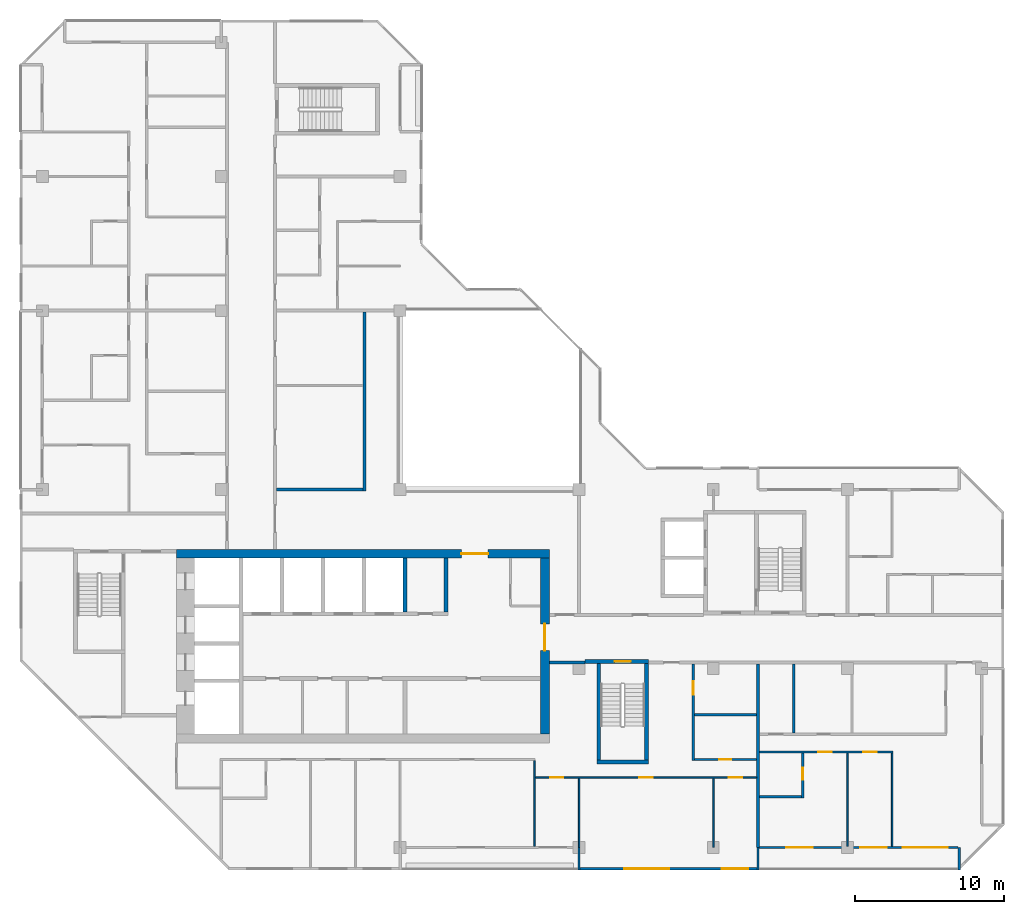
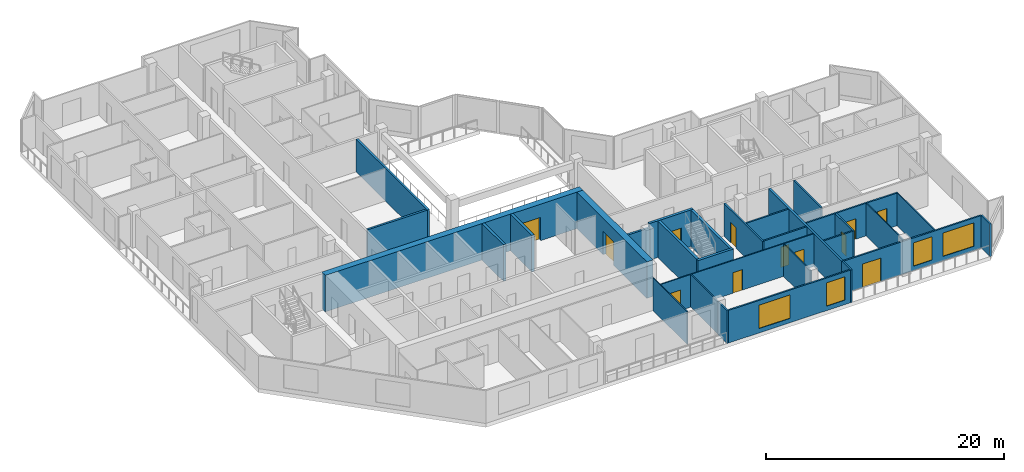
# One storey, part 6 of 13: 30 walls, 12 doors, 4 windows, 16 openings.
"""IFC4 building model written with IfcOpenShell, lengths in metres."""

import ifcopenshell
import ifcopenshell.guid

model = None  # the IFC model being written
_history = None  # IfcOwnerHistory: only IFC2X3 demands one
_inside = {}  # id of a spatial element -> (the spatial element, [elements in it])
_under = {}  # id of a project, library or spatial element -> (it, [spatial elements below it])
_declared = {}  # id of a project -> (the project, [libraries it declares])
_typed = {}  # id of a type object -> (the type object, [elements of that type])
_made_of = {}  # id of a material, layer set ... -> (it, [elements and type objects made of it])


def new_model(schema):
    """Start an empty IFC model of exactly this schema.

    Asked for "IFC4X3", IfcOpenShell would pick the latest addendum, in which some entities
    have other attributes; the version numbers below select the first issue.
    IFC2X3 requires an IfcOwnerHistory on every rooted entity: one is made here for all.
    """
    global model, _history
    if schema == "IFC4X3":
        model = ifcopenshell.file(schema_version=(4, 3, 0, 0))
    else:
        model = ifcopenshell.file(schema=schema)
    _inside.clear()
    _under.clear()
    _declared.clear()
    _typed.clear()
    _made_of.clear()
    _history = None
    if model.schema == "IFC2X3":
        org = make("IfcOrganization", Name="unknown")
        user = make(
            "IfcPersonAndOrganization",
            ThePerson=make("IfcPerson", FamilyName="unknown"),
            TheOrganization=org,
        )
        app = make(
            "IfcApplication",
            ApplicationDeveloper=org,
            Version="unknown",
            ApplicationFullName="unknown",
            ApplicationIdentifier="unknown",
        )
        _history = make(
            "IfcOwnerHistory",
            OwningUser=user,
            OwningApplication=app,
            ChangeAction="ADDED",
            CreationDate=0,
        )
    return model


def make(cls, **values):
    """One entity of the class cls with the attributes given. An attribute that is None is left unset."""
    return model.create_entity(
        cls, **{name: value for name, value in values.items() if value is not None}
    )


def rooted(cls, **values):
    """An entity with a GlobalId (a new one), such as an element, a storey or a relation."""
    return make(cls, GlobalId=ifcopenshell.guid.new(), OwnerHistory=_history, **values)


def si_unit(unit_type, name, prefix=None):
    """IfcSIUnit, for example si_unit("LENGTHUNIT", "METRE", prefix="MILLI")."""
    return make("IfcSIUnit", UnitType=unit_type, Prefix=prefix, Name=name)


def assignment(units):
    """IfcUnitAssignment: the units of a project."""
    return None if units is None else make("IfcUnitAssignment", Units=units)


def point(xyz):
    """IfcCartesianPoint."""
    return None if xyz is None else make("IfcCartesianPoint", Coordinates=xyz)


def direction(xyz):
    """IfcDirection."""
    return None if xyz is None else make("IfcDirection", DirectionRatios=xyz)


def frame(location, z_axis=None, x_axis=None):
    """IfcAxis2Placement3D, a coordinate frame: its origin and axes. An axis left out is left unset."""
    return make(
        "IfcAxis2Placement3D",
        Location=point(location),
        Axis=direction(z_axis),
        RefDirection=direction(x_axis),
    )


def frame_2d(location, x_axis=None):
    """IfcAxis2Placement2D, a coordinate frame in the plane: its origin and x axis."""
    return make(
        "IfcAxis2Placement2D", Location=point(location), RefDirection=direction(x_axis)
    )


def origin():
    """The frame at (0, 0, 0) with its axes left unset."""
    return frame((0.0, 0.0, 0.0))


def place(relative_to, where):
    """IfcLocalPlacement: puts the frame where relative to a parent placement (None: the world)."""
    return make(
        "IfcLocalPlacement", PlacementRelTo=relative_to, RelativePlacement=where
    )


def context(
    kind, dimensions, precision=None, world=None, true_north=None, identifier=None
):
    """IfcGeometricRepresentationContext, for example the 3D "Model" context."""
    return make(
        "IfcGeometricRepresentationContext",
        ContextIdentifier=identifier,
        ContextType=kind,
        CoordinateSpaceDimension=dimensions,
        Precision=precision,
        WorldCoordinateSystem=world,
        TrueNorth=true_north,
    )


def subcontext(parent, identifier, kind, view, scale=None):
    """IfcGeometricRepresentationSubContext, for example "Body" below "Model"."""
    return make(
        "IfcGeometricRepresentationSubContext",
        ContextIdentifier=identifier,
        ContextType=kind,
        ParentContext=parent,
        TargetScale=scale,
        TargetView=view,
    )


def project(units=None, contexts=None):
    """IfcProject with its units and contexts."""
    return rooted(
        "IfcProject",
        Name="project",
        RepresentationContexts=contexts,
        UnitsInContext=assignment(units),
    )


def spatial(cls, under=None, at=None, **own):
    """A site, building, storey or space (cls), placed at a placement, below another one or the project."""
    s = rooted(cls, ObjectPlacement=at, **own)
    if under is not None:
        _under.setdefault(under.id(), (under, []))[1].append(s)
    return s


def profile(cls, at=None, kind="AREA", **sizes):
    """A parametric profile (cls). Its sizes go by their IFC names, for example OverallWidth=200.0."""
    return make(cls, ProfileType=kind, Position=at, **sizes)


def rectangle(**sizes):
    """IfcRectangleProfileDef."""
    return profile("IfcRectangleProfileDef", **sizes)


def extrude(swept, where, along, depth):
    """IfcExtrudedAreaSolid: the profile swept, set in the frame where, extruded along a direction by depth."""
    return make(
        "IfcExtrudedAreaSolid",
        SweptArea=swept,
        Position=where,
        ExtrudedDirection=direction(along),
        Depth=depth,
    )


def shape(context_of_items, identifier, shape_type, items):
    """IfcShapeRepresentation: the items that make up one representation, for example the "Body"."""
    return make(
        "IfcShapeRepresentation",
        ContextOfItems=context_of_items,
        RepresentationIdentifier=identifier,
        RepresentationType=shape_type,
        Items=items,
    )


def material(Name=None, Category=None):
    """IfcMaterial."""
    return make("IfcMaterial", Name=Name, Category=Category)


def layer(
    of_material, thickness, ventilated=None, Name=None, Category=None, Priority=None
):
    """IfcMaterialLayer: one layer of a wall or slab, of a material (None: an air gap)."""
    return make(
        "IfcMaterialLayer",
        Material=of_material,
        LayerThickness=thickness,
        IsVentilated=ventilated,
        Name=Name,
        Category=Category,
        Priority=Priority,
    )


def layer_set(layers, Name=None):
    """IfcMaterialLayerSet."""
    return make("IfcMaterialLayerSet", MaterialLayers=layers, LayerSetName=Name)


def made_of(thing, what):
    """Note that an element or type object is made of a material, layer set ...; save() writes the relation."""
    if what is not None:
        _made_of.setdefault(what.id(), (what, []))[1].append(thing)
    return thing


def type_object(cls, material=None, **own):
    """A type object (cls), such as IfcWallType, which elements share."""
    return made_of(rooted(cls, **own), material)


def element(
    cls,
    number,
    at=None,
    inside=None,
    cuts=None,
    type_object=None,
    material=None,
    context=None,
    identifier="Body",
    shape_type=None,
    held_by="IfcProductDefinitionShape",
    body=None,
    shapes=None,
    **own,
):
    """One element of the class cls, such as IfcWall. Its Tag is "e" and its number.

    at: its placement. inside: the storey or other place that contains it. cuts: it is an
    opening in that element (IfcRelVoidsElement). A single representation is given by context,
    identifier, shape_type and body (its items); several are given by shapes. held_by: the class
    of the entity that holds the representations. save() writes the other relations.
    """
    e = rooted(cls, Tag="e%d" % number, ObjectPlacement=at, **own)
    if body is not None:
        shapes = [shape(context, identifier, shape_type, body)]
    if shapes is not None:
        e.Representation = make(held_by, Representations=shapes)
    if inside is not None:
        _inside.setdefault(inside.id(), (inside, []))[1].append(e)
    if cuts is not None:
        rooted(
            "IfcRelVoidsElement", RelatingBuildingElement=cuts, RelatedOpeningElement=e
        )
    if type_object is not None:
        _typed.setdefault(type_object.id(), (type_object, []))[1].append(e)
    return made_of(e, material)


def fill(opening, filler):
    """IfcRelFillsElement: the door or window that sits in an opening."""
    return rooted(
        "IfcRelFillsElement",
        RelatingOpeningElement=opening,
        RelatedBuildingElement=filler,
    )


def aggregate(whole, parts):
    """IfcRelAggregates: a whole, such as a stair, and the parts it consists of."""
    return rooted("IfcRelAggregates", RelatingObject=whole, RelatedObjects=parts)


def save(model, path):
    """Write the relations noted so far, then the file.

    IfcRelAggregates (storeys below a building ...), IfcRelContainedInSpatialStructure (elements
    in a storey), IfcRelDefinesByType, IfcRelAssociatesMaterial and IfcRelDeclares: one each for
    every whole, place, type object, material and project.
    """
    for whole, parts in _under.values():
        aggregate(whole, parts)
    for where, things in _inside.values():
        rooted(
            "IfcRelContainedInSpatialStructure",
            RelatedElements=things,
            RelatingStructure=where,
        )
    for kind, things in _typed.values():
        rooted("IfcRelDefinesByType", RelatedObjects=things, RelatingType=kind)
    for what, things in _made_of.values():
        rooted("IfcRelAssociatesMaterial", RelatedObjects=things, RelatingMaterial=what)
    for by, libraries in _declared.values():
        rooted("IfcRelDeclares", RelatingContext=by, RelatedDefinitions=libraries)
    model.write(path)


model = new_model("IFC4")

# Units and contexts
model_context = context("Model", 3, precision=1e-05, world=origin(), true_north=direction((0.0, 1.0)))
body_context = subcontext(model_context, "Body", "Model", "MODEL_VIEW")
ifc_project = project(units=[si_unit("LENGTHUNIT", "METRE"), si_unit("AREAUNIT", "SQUARE_METRE"), si_unit("VOLUMEUNIT", "CUBIC_METRE"), si_unit("PLANEANGLEUNIT", "RADIAN"), si_unit("MASSUNIT", "GRAM", prefix="KILO")], contexts=[model_context])

# Site, building, storey
site_placement = place(None, origin())
site = spatial("IfcSite", under=ifc_project, at=site_placement, CompositionType="ELEMENT")
building_placement = place(site_placement, origin())
building = spatial("IfcBuilding", under=site, at=building_placement, Name="Chenar Terraces", CompositionType="ELEMENT")
storey_placement = place(building_placement, frame((0.0, 0.0, 307.14990234375)))
storey = spatial("IfcBuildingStorey", under=building, at=storey_placement, Name="L72", CompositionType="ELEMENT", Elevation=307.14990234375)

# Walls
ifc_material_1 = material(Name="Concrete C50/60", Category="concrete")
ifc_layer_1 = layer(ifc_material_1, 0.25)
ifc_layer_set_1 = layer_set([ifc_layer_1], Name="Concrete C50/60")
wall_type_1 = type_object("IfcWallType", Name="Core wall 250 Concrete C50/60", PredefinedType="SHEAR", material=ifc_layer_set_1)
for number, where, z_axis, x_axis, name in (
    (1, (24.324951171875, 15.800048828125, 0.0), (0.0, 0.0, 1.0), (0.0, 1.0, 0.0), "Core wall NS3 L72"),
    (2, (27.074951171875, 15.800048828125, 0.0), (0.0, 0.0, 1.0), (0.0, 1.0, 0.0), "Core wall NE L72"),
):
    element("IfcWall", number, at=place(storey_placement, frame(where, z_axis=z_axis, x_axis=x_axis)), inside=storey, type_object=wall_type_1, Name=name, PredefinedType="SHEAR", context=body_context, shape_type="SweptSolid", body=[
        extrude(rectangle(XDim=3.599853515625, YDim=0.25, at=frame_2d((1.7998046875, 0.0))), origin(), (0.0, 0.0, 1.0), 3.75),
    ])
wall_1_placement = place(storey_placement, frame((37.199951171875, 5.72509765625, 0.0), z_axis=(0.0, 0.0, 1.0), x_axis=(1.0, 0.0, 0.0)))
element("IfcWall", 3, at=wall_1_placement, inside=storey, type_object=wall_type_1, Name="Core wall ST2_S L72", PredefinedType="SHEAR", context=body_context, shape_type="SweptSolid", body=[
    extrude(rectangle(XDim=3.449951171875, YDim=0.25, at=frame_2d((1.72509765625, 0.0))), origin(), (0.0, 0.0, 1.0), 3.75),
])

# Wall, opening, door
wall_2_placement = place(storey_placement, frame((36.39990234375, 12.47509765625, 0.0), z_axis=(0.0, 0.0, 1.0), x_axis=(1.0, 0.0, 0.0)))
wall_2 = element("IfcWall", 4, at=wall_2_placement, inside=storey, type_object=wall_type_1, Name="Core wall ST2_N L72", PredefinedType="SHEAR", context=body_context, shape_type="SweptSolid", body=[
    extrude(rectangle(XDim=4.25, YDim=0.25, at=frame_2d((2.125, 0.0))), origin(), (0.0, 0.0, 1.0), 3.75),
])
opening_1_placement = place(wall_2_placement, frame((1.97509765625, 0.0, 0.0)))
opening_1 = element("IfcOpeningElement", 5, at=opening_1_placement, cuts=wall_2, Name="Opening DL72-C7", PredefinedType="OPENING", context=body_context, shape_type="SweptSolid", body=[
    extrude(rectangle(XDim=1.10009765625, YDim=2.199951171875, at=frame_2d((0.550048828125, 1.10009765625))), frame((0.0, 0.135009765625, 0.0), z_axis=(0.0, -1.0, 0.0), x_axis=(1.0, 0.0, 0.0)), (0.0, 0.0, 1.0), 0.27001953125),
])
ifc_material_2 = material(Name="Steel-framed fire-resisting door leaf", Category="steel")
door_type_1 = type_object("IfcDoorType", Name="Stair fire door FD60 1100 x 2200", OperationType="SINGLE_SWING_LEFT", PredefinedType="DOOR", material=ifc_material_2)
door_1_placement = place(opening_1_placement, frame((1.10009765625, 0.0, 0.0), z_axis=(0.0, 0.0, 1.0), x_axis=(-1.0, 0.0, 0.0)))
door_1 = element("IfcDoor", 6, at=door_1_placement, inside=storey, type_object=door_type_1, Name="Stair door DL72-C7", OperationType="SINGLE_SWING_LEFT", OverallHeight=2.199951171875, OverallWidth=1.10009765625, PredefinedType="DOOR", context=body_context, shape_type="SweptSolid", body=[
    extrude(rectangle(XDim=1.10009765625, YDim=2.199951171875, at=frame_2d((0.550048828125, 1.10009765625))), frame((0.0, 0.02490234375, 0.0), z_axis=(0.0, -1.0, 0.0), x_axis=(1.0, 0.0, 0.0)), (0.0, 0.0, 1.0), 0.050048828125),
])
fill(opening_1, door_1)

# Walls
for number, where, z_axis, x_axis, name in (
    (7, (37.324951171875, 5.85009765625, 0.0), (0.0, 0.0, 1.0), (0.0, 1.0, 0.0), "Core wall ST2_W L72"),
    (8, (40.52490234375, 5.85009765625, 0.0), (0.0, 0.0, 1.0), (0.0, 1.0, 0.0), "Core wall ST2_E L72"),
):
    element("IfcWall", number, at=place(storey_placement, frame(where, z_axis=z_axis, x_axis=x_axis)), inside=storey, type_object=wall_type_1, Name=name, PredefinedType="SHEAR", context=body_context, shape_type="SweptSolid", body=[
        extrude(rectangle(XDim=6.5, YDim=0.25, at=frame_2d((3.25, 0.0))), origin(), (0.0, 0.0, 1.0), 3.75),
    ])

# Wall, opening, door
ifc_material_3 = material(Name="Concrete C50/60", Category="concrete")
ifc_layer_2 = layer(ifc_material_3, 0.60009765625)
ifc_layer_set_2 = layer_set([ifc_layer_2], Name="Concrete C50/60")
wall_type_2 = type_object("IfcWallType", Name="Core wall 600 Concrete C50/60", PredefinedType="SHEAR", material=ifc_layer_set_2)
wall_3_placement = place(storey_placement, frame((9.0, 19.699951171875, 0.0), z_axis=(0.0, 0.0, 1.0), x_axis=(1.0, 0.0, 0.0)))
wall_3 = element("IfcWall", 9, at=wall_3_placement, inside=storey, type_object=wall_type_2, Name="Core wall N L72", PredefinedType="SHEAR", context=body_context, shape_type="SweptSolid", body=[
    extrude(rectangle(XDim=25.0, YDim=0.60009765625, at=frame_2d((12.5, 0.0))), origin(), (0.0, 0.0, 1.0), 3.75),
])
opening_2_placement = place(wall_3_placement, frame((19.10009765625, 0.0, 0.0)))
opening_2 = element("IfcOpeningElement", 10, at=opening_2_placement, cuts=wall_3, Name="Opening DL72-C2", PredefinedType="OPENING", context=body_context, shape_type="SweptSolid", body=[
    extrude(rectangle(XDim=1.800048828125, YDim=2.39990234375, at=frame_2d((0.89990234375, 1.199951171875))), frame((0.0, 0.31005859375, 0.0), z_axis=(0.0, -1.0, 0.0), x_axis=(1.0, 0.0, 0.0)), (0.0, 0.0, 1.0), 0.6201171875),
])
ifc_material_4 = material(Name="Steel-framed fire-resisting door leaf", Category="steel")
door_type_2 = type_object("IfcDoorType", Name="Core entrance double fire door FD60 1800 x 2400", OperationType="DOUBLE_DOOR_SINGLE_SWING", PredefinedType="DOOR", material=ifc_material_4)
door_2_placement = place(opening_2_placement, frame((1.800048828125, 0.0, 0.0), z_axis=(0.0, 0.0, 1.0), x_axis=(-1.0, 0.0, 0.0)))
door_2 = element("IfcDoor", 11, at=door_2_placement, inside=storey, type_object=door_type_2, Name="Core door DL72-C2", OperationType="DOUBLE_DOOR_SINGLE_SWING", OverallHeight=2.39990234375, OverallWidth=1.800048828125, PredefinedType="DOOR", context=body_context, shape_type="SweptSolid", body=[
    extrude(rectangle(XDim=1.800048828125, YDim=2.39990234375, at=frame_2d((0.89990234375, 1.199951171875))), frame((0.0, 0.02490234375, 0.0), z_axis=(0.0, -1.0, 0.0), x_axis=(1.0, 0.0, 0.0)), (0.0, 0.0, 1.0), 0.050048828125),
])
fill(opening_2, door_2)

wall_4_placement = place(storey_placement, frame((33.699951171875, 7.60009765625, 0.0), z_axis=(0.0, 0.0, 1.0), x_axis=(0.0, 1.0, 0.0)))
wall_4 = element("IfcWall", 12, at=wall_4_placement, inside=storey, type_object=wall_type_2, Name="Core wall E L72", PredefinedType="SHEAR", context=body_context, shape_type="SweptSolid", body=[
    extrude(rectangle(XDim=11.7998046875, YDim=0.60009765625, at=frame_2d((5.89990234375, 0.0))), origin(), (0.0, 0.0, 1.0), 3.75),
])
opening_3_placement = place(wall_4_placement, frame((5.60009765625, 0.0, 0.0)))
opening_3 = element("IfcOpeningElement", 13, at=opening_3_placement, cuts=wall_4, Name="Opening DL72-C1", PredefinedType="OPENING", context=body_context, shape_type="SweptSolid", body=[
    extrude(rectangle(XDim=1.800048828125, YDim=2.39990234375, at=frame_2d((0.89990234375, 1.199951171875))), frame((0.0, 0.31005859375, 0.0), z_axis=(0.0, -1.0, 0.0), x_axis=(1.0, 0.0, 0.0)), (0.0, 0.0, 1.0), 0.6201171875),
])
door_3_placement = place(opening_3_placement, origin())
door_3 = element("IfcDoor", 14, at=door_3_placement, inside=storey, type_object=door_type_2, Name="Core door DL72-C1", OperationType="DOUBLE_DOOR_SINGLE_SWING", OverallHeight=2.39990234375, OverallWidth=1.800048828125, PredefinedType="DOOR", context=body_context, shape_type="SweptSolid", body=[
    extrude(rectangle(XDim=1.800048828125, YDim=2.39990234375, at=frame_2d((0.89990234375, 1.199951171875))), frame((0.0, 0.02490234375, 0.0), z_axis=(0.0, -1.0, 0.0), x_axis=(1.0, 0.0, 0.0)), (0.0, 0.0, 1.0), 0.050048828125),
])
fill(opening_3, door_3)

# Walls
ifc_material_5 = material(Name="Gypsum board on steel studs with fire boards", Category="steel")
ifc_layer_3 = layer(ifc_material_5, 0.199951171875)
ifc_layer_set_3 = layer_set([ifc_layer_3], Name="Gypsum board on steel studs with fire boards")
wall_type_3 = type_object("IfcWallType", Name="Corridor wall 200", PredefinedType="PARTITIONING", material=ifc_layer_set_3)
wall_5_placement = place(storey_placement, frame((15.699951171875, 24.0, 0.0), z_axis=(0.0, 0.0, 1.0), x_axis=(1.0, 0.0, 0.0)))
element("IfcWall", 15, at=wall_5_placement, inside=storey, type_object=wall_type_3, Name="Partition L72-035", PredefinedType="PARTITIONING", context=body_context, shape_type="SweptSolid", body=[
    extrude(rectangle(XDim=5.800048828125, YDim=0.199951171875, at=frame_2d((2.89990234375, 0.0))), origin(), (0.0, 0.0, 1.0), 3.35009765625),
])
wall_6_placement = place(storey_placement, frame((21.60009765625, 23.89990234375, 0.0), z_axis=(0.0, 0.0, 1.0), x_axis=(0.0, 1.0, 0.0)))
element("IfcWall", 16, at=wall_6_placement, inside=storey, type_object=wall_type_3, Name="Partition L72-047", PredefinedType="PARTITIONING", context=body_context, shape_type="SweptSolid", body=[
    extrude(rectangle(XDim=12.0, YDim=0.199951171875, at=frame_2d((6.0, 0.0))), origin(), (0.0, 0.0, 1.0), 3.35009765625),
])
wall_7_placement = place(storey_placement, frame((34.0, 12.39990234375, 0.0), z_axis=(0.0, 0.0, 1.0), x_axis=(1.0, 0.0, 0.0)))
element("IfcWall", 17, at=wall_7_placement, inside=storey, type_object=wall_type_3, Name="Partition L72-051", PredefinedType="PARTITIONING", context=body_context, shape_type="SweptSolid", body=[
    extrude(rectangle(XDim=2.40087890625, YDim=0.199951171875, at=frame_2d((1.200439453125, 0.0))), origin(), (0.0, 0.0, 1.0), 3.35009765625),
])

# Wall, openings, windows
ifc_material_6 = material(Name="Aluminium framed glazing", Category="aluminium")
ifc_layer_4 = layer(ifc_material_6, 0.14990234375)
ifc_layer_set_4 = layer_set([ifc_layer_4], Name="Aluminium framed glazing")
wall_type_4 = type_object("IfcWallType", Name="Glazed flush facade wall 150", PredefinedType="SOLIDWALL", material=ifc_layer_set_4)
wall_8_placement = place(storey_placement, frame((36.074951171875, -1.425048828125, 0.0), z_axis=(0.0, 0.0, 1.0), x_axis=(1.0, 0.0, 0.0)))
wall_8 = element("IfcWall", 18, at=wall_8_placement, inside=storey, type_object=wall_type_4, Name="Glazed flush facade wall", PredefinedType="SOLIDWALL", context=body_context, shape_type="SweptSolid", body=[
    extrude(rectangle(XDim=11.85009765625, YDim=0.14990234375, at=frame_2d((5.925048828125, 0.0))), origin(), (0.0, 0.0, 1.0), 3.35009765625),
])
opening_4_placement = place(wall_8_placement, frame((2.96240234375, 0.0, 0.449951171875)))
opening_4 = element("IfcOpeningElement", 19, at=opening_4_placement, cuts=wall_8, Name="Opening W300x240", PredefinedType="OPENING", context=body_context, shape_type="SweptSolid", body=[
    extrude(rectangle(XDim=3.0, YDim=2.39990234375, at=frame_2d((1.5, 1.199951171875))), frame((0.0, 0.0849609375, 0.0), z_axis=(0.0, -1.0, 0.0), x_axis=(1.0, 0.0, 0.0)), (0.0, 0.0, 1.0), 0.169921875),
])
opening_5_placement = place(wall_8_placement, frame((9.487548828125, 0.0, 0.449951171875)))
opening_5 = element("IfcOpeningElement", 20, at=opening_5_placement, cuts=wall_8, Name="Opening W180x240", PredefinedType="OPENING", context=body_context, shape_type="SweptSolid", body=[
    extrude(rectangle(XDim=1.800048828125, YDim=2.39990234375, at=frame_2d((0.89990234375, 1.199951171875))), frame((0.0, 0.0849609375, 0.0), z_axis=(0.0, -1.0, 0.0), x_axis=(1.0, 0.0, 0.0)), (0.0, 0.0, 1.0), 0.169921875),
])
ifc_material_7 = material(Name="Low emissivity double glazing, aluminium frame", Category="aluminium")
window_type_1 = type_object("IfcWindowType", Name="Fixed light 1800 x 2400", PartitioningType="SINGLE_PANEL", PredefinedType="WINDOW", material=ifc_material_7)
window_1_placement = place(opening_5_placement, origin())
window_1 = element("IfcWindow", 21, at=window_1_placement, inside=storey, type_object=window_type_1, Name="Window", OverallHeight=2.39990234375, OverallWidth=1.800048828125, PartitioningType="SINGLE_PANEL", PredefinedType="WINDOW", context=body_context, shape_type="SweptSolid", body=[
    extrude(rectangle(XDim=1.800048828125, YDim=2.39990234375, at=frame_2d((0.89990234375, 1.199951171875))), frame((0.0, 0.030029296875, 0.0), z_axis=(0.0, -1.0, 0.0), x_axis=(1.0, 0.0, 0.0)), (0.0, 0.0, 1.0), 0.06005859375),
])
fill(opening_5, window_1)
ifc_material_8 = material(Name="Low emissivity double glazing, aluminium frame", Category="aluminium")
window_type_2 = type_object("IfcWindowType", Name="Fixed light 3000 x 2400", PartitioningType="SINGLE_PANEL", PredefinedType="WINDOW", material=ifc_material_8)
window_2_placement = place(opening_4_placement, origin())
window_2 = element("IfcWindow", 22, at=window_2_placement, inside=storey, type_object=window_type_2, Name="Window", OverallHeight=2.39990234375, OverallWidth=3.0, PartitioningType="SINGLE_PANEL", PredefinedType="WINDOW", context=body_context, shape_type="SweptSolid", body=[
    extrude(rectangle(XDim=3.0, YDim=2.39990234375, at=frame_2d((1.5, 1.199951171875))), frame((0.0, 0.030029296875, 0.0), z_axis=(0.0, -1.0, 0.0), x_axis=(1.0, 0.0, 0.0)), (0.0, 0.0, 1.0), 0.06005859375),
])
fill(opening_4, window_2)

# Wall, openings, windows, door
ifc_material_9 = material(Name="Aluminium framed glazing", Category="aluminium")
ifc_layer_5 = layer(ifc_material_9, 0.14990234375)
ifc_layer_set_5 = layer_set([ifc_layer_5], Name="Aluminium framed glazing")
wall_type_5 = type_object("IfcWallType", Name="Glazed loggia back wall 150", PredefinedType="SOLIDWALL", material=ifc_layer_set_5)
wall_9_placement = place(storey_placement, frame((48.074951171875, 0.0, 0.0), z_axis=(0.0, 0.0, 1.0), x_axis=(1.0, 0.0, 0.0)))
wall_9 = element("IfcWall", 23, at=wall_9_placement, inside=storey, type_object=wall_type_5, Name="Glazed loggia back wall", PredefinedType="SOLIDWALL", context=body_context, shape_type="SweptSolid", body=[
    extrude(rectangle(XDim=13.35009765625, YDim=0.14990234375, at=frame_2d((6.675048828125, 0.0))), origin(), (0.0, 0.0, 1.0), 3.35009765625),
])
opening_6_placement = place(wall_9_placement, frame((1.8125, 0.0, 0.0)))
opening_6 = element("IfcOpeningElement", 24, at=opening_6_placement, cuts=wall_9, Name="Opening DL72-G6", PredefinedType="OPENING", context=body_context, shape_type="SweptSolid", body=[
    extrude(rectangle(XDim=1.800048828125, YDim=2.39990234375, at=frame_2d((0.89990234375, 1.199951171875))), frame((0.0, 0.0849609375, 0.0), z_axis=(0.0, -1.0, 0.0), x_axis=(1.0, 0.0, 0.0)), (0.0, 0.0, 1.0), 0.169921875),
])
opening_7_placement = place(wall_9_placement, frame((6.77490234375, 0.0, 0.449951171875)))
opening_7 = element("IfcOpeningElement", 25, at=opening_7_placement, cuts=wall_9, Name="Opening W180x240", PredefinedType="OPENING", context=body_context, shape_type="SweptSolid", body=[
    extrude(rectangle(XDim=1.800048828125, YDim=2.39990234375, at=frame_2d((0.89990234375, 1.199951171875))), frame((0.0, 0.0849609375, 0.0), z_axis=(0.0, -1.0, 0.0), x_axis=(1.0, 0.0, 0.0)), (0.0, 0.0, 1.0), 0.169921875),
])
opening_8_placement = place(wall_9_placement, frame((9.637451171875, 0.0, 0.449951171875)))
opening_8 = element("IfcOpeningElement", 26, at=opening_8_placement, cuts=wall_9, Name="Opening W300x240", PredefinedType="OPENING", context=body_context, shape_type="SweptSolid", body=[
    extrude(rectangle(XDim=3.0, YDim=2.39990234375, at=frame_2d((1.5, 1.199951171875))), frame((0.0, 0.0849609375, 0.0), z_axis=(0.0, -1.0, 0.0), x_axis=(1.0, 0.0, 0.0)), (0.0, 0.0, 1.0), 0.169921875),
])
window_3_placement = place(opening_7_placement, origin())
window_3 = element("IfcWindow", 27, at=window_3_placement, inside=storey, type_object=window_type_1, Name="Window", OverallHeight=2.39990234375, OverallWidth=1.800048828125, PartitioningType="SINGLE_PANEL", PredefinedType="WINDOW", context=body_context, shape_type="SweptSolid", body=[
    extrude(rectangle(XDim=1.800048828125, YDim=2.39990234375, at=frame_2d((0.89990234375, 1.199951171875))), frame((0.0, 0.030029296875, 0.0), z_axis=(0.0, -1.0, 0.0), x_axis=(1.0, 0.0, 0.0)), (0.0, 0.0, 1.0), 0.06005859375),
])
fill(opening_7, window_3)
window_4_placement = place(opening_8_placement, origin())
window_4 = element("IfcWindow", 28, at=window_4_placement, inside=storey, type_object=window_type_2, Name="Window", OverallHeight=2.39990234375, OverallWidth=3.0, PartitioningType="SINGLE_PANEL", PredefinedType="WINDOW", context=body_context, shape_type="SweptSolid", body=[
    extrude(rectangle(XDim=3.0, YDim=2.39990234375, at=frame_2d((1.5, 1.199951171875))), frame((0.0, 0.030029296875, 0.0), z_axis=(0.0, -1.0, 0.0), x_axis=(1.0, 0.0, 0.0)), (0.0, 0.0, 1.0), 0.06005859375),
])
fill(opening_8, window_4)
ifc_material_10 = material(Name="Low emissivity double glazing, aluminium frame", Category="aluminium")
door_type_3 = type_object("IfcDoorType", Name="Loggia glazed double door 1800 x 2400", OperationType="DOUBLE_DOOR_SINGLE_SWING", PredefinedType="DOOR", material=ifc_material_10)
door_4_placement = place(opening_6_placement, frame((1.800048828125, 0.0, 0.0), z_axis=(0.0, 0.0, 1.0), x_axis=(-1.0, 0.0, 0.0)))
door_4 = element("IfcDoor", 29, at=door_4_placement, inside=storey, type_object=door_type_3, Name="Loggia glazed door", OperationType="DOUBLE_DOOR_SINGLE_SWING", OverallHeight=2.39990234375, OverallWidth=1.800048828125, PredefinedType="DOOR", context=body_context, shape_type="SweptSolid", body=[
    extrude(rectangle(XDim=1.800048828125, YDim=2.39990234375, at=frame_2d((0.89990234375, 1.199951171875))), frame((0.0, 0.02490234375, 0.0), z_axis=(0.0, -1.0, 0.0), x_axis=(1.0, 0.0, 0.0)), (0.0, 0.0, 1.0), 0.050048828125),
])
fill(opening_6, door_4)

# Wall
ifc_material_11 = material(Name="Gypsum board on steel studs", Category="steel")
ifc_layer_6 = layer(ifc_material_11, 0.10009765625)
ifc_layer_set_6 = layer_set([ifc_layer_6], Name="Gypsum board on steel studs")
wall_type_6 = type_object("IfcWallType", Name="Gypsum partition 100", PredefinedType="PARTITIONING", material=ifc_layer_set_6)
wall_10_placement = place(storey_placement, frame((33.0, 0.073974609375, 0.0), z_axis=(0.0, 0.0, 1.0), x_axis=(0.0, 1.0, 0.0)))
element("IfcWall", 30, at=wall_10_placement, inside=storey, type_object=wall_type_6, Name="Partition L72-049", PredefinedType="PARTITIONING", context=body_context, shape_type="SweptSolid", body=[
    extrude(rectangle(XDim=5.7509765625, YDim=0.10009765625, at=frame_2d((2.87548828125, 0.0))), origin(), (0.0, 0.0, 1.0), 3.35009765625),
])

# Wall, openings, doors
wall_11_placement = place(storey_placement, frame((33.050048828125, 4.699951171875, 0.0), z_axis=(0.0, 0.0, 1.0), x_axis=(1.0, 0.0, 0.0)))
wall_11 = element("IfcWall", 31, at=wall_11_placement, inside=storey, type_object=wall_type_6, Name="Partition L72-050", PredefinedType="PARTITIONING", context=body_context, shape_type="SweptSolid", body=[
    extrude(rectangle(XDim=14.849853515625, YDim=0.10009765625, at=frame_2d((7.4248046875, 0.0))), origin(), (0.0, 0.0, 1.0), 3.35009765625),
])
opening_9_placement = place(wall_11_placement, frame((1.0, 0.0, 0.0)))
opening_9 = element("IfcOpeningElement", 32, at=opening_9_placement, cuts=wall_11, Name="Opening DL72-37", PredefinedType="OPENING", context=body_context, shape_type="SweptSolid", body=[
    extrude(rectangle(XDim=0.89990234375, YDim=2.10009765625, at=frame_2d((0.449951171875, 1.050048828125))), frame((0.0, 0.06005859375, 0.0), z_axis=(0.0, -1.0, 0.0), x_axis=(1.0, 0.0, 0.0)), (0.0, 0.0, 1.0), 0.1201171875),
])
opening_10_placement = place(wall_11_placement, frame((13.0, 0.0, 0.0)))
opening_10 = element("IfcOpeningElement", 33, at=opening_10_placement, cuts=wall_11, Name="Opening DL72-38", PredefinedType="OPENING", context=body_context, shape_type="SweptSolid", body=[
    extrude(rectangle(XDim=0.89990234375, YDim=2.10009765625, at=frame_2d((0.449951171875, 1.050048828125))), frame((0.0, 0.06005859375, 0.0), z_axis=(0.0, -1.0, 0.0), x_axis=(1.0, 0.0, 0.0)), (0.0, 0.0, 1.0), 0.1201171875),
])
opening_11_placement = place(wall_11_placement, frame((7.0, 0.0, 0.0)))
opening_11 = element("IfcOpeningElement", 34, at=opening_11_placement, cuts=wall_11, Name="Opening DL72-46", PredefinedType="OPENING", context=body_context, shape_type="SweptSolid", body=[
    extrude(rectangle(XDim=0.89990234375, YDim=2.10009765625, at=frame_2d((0.449951171875, 1.050048828125))), frame((0.0, 0.06005859375, 0.0), z_axis=(0.0, -1.0, 0.0), x_axis=(1.0, 0.0, 0.0)), (0.0, 0.0, 1.0), 0.1201171875),
])
ifc_material_12 = material(Name="Veneered timber door leaf", Category="wood")
door_type_4 = type_object("IfcDoorType", Name="Door 900 x 2100", OperationType="SINGLE_SWING_LEFT", PredefinedType="DOOR", material=ifc_material_12)
door_5_placement = place(opening_9_placement, frame((0.89990234375, 0.0, 0.0), z_axis=(0.0, 0.0, 1.0), x_axis=(-1.0, 0.0, 0.0)))
door_5 = element("IfcDoor", 35, at=door_5_placement, inside=storey, type_object=door_type_4, Name="Door DL72-37", OperationType="SINGLE_SWING_LEFT", OverallHeight=2.10009765625, OverallWidth=0.89990234375, PredefinedType="DOOR", context=body_context, shape_type="SweptSolid", body=[
    extrude(rectangle(XDim=0.89990234375, YDim=2.10009765625, at=frame_2d((0.449951171875, 1.050048828125))), frame((0.0, 0.02490234375, 0.0), z_axis=(0.0, -1.0, 0.0), x_axis=(1.0, 0.0, 0.0)), (0.0, 0.0, 1.0), 0.050048828125),
])
fill(opening_9, door_5)
door_6_placement = place(opening_10_placement, frame((0.89990234375, 0.0, 0.0), z_axis=(0.0, 0.0, 1.0), x_axis=(-1.0, 0.0, 0.0)))
door_6 = element("IfcDoor", 36, at=door_6_placement, inside=storey, type_object=door_type_4, Name="Door DL72-38", OperationType="SINGLE_SWING_LEFT", OverallHeight=2.10009765625, OverallWidth=0.89990234375, PredefinedType="DOOR", context=body_context, shape_type="SweptSolid", body=[
    extrude(rectangle(XDim=0.89990234375, YDim=2.10009765625, at=frame_2d((0.449951171875, 1.050048828125))), frame((0.0, 0.02490234375, 0.0), z_axis=(0.0, -1.0, 0.0), x_axis=(1.0, 0.0, 0.0)), (0.0, 0.0, 1.0), 0.050048828125),
])
fill(opening_10, door_6)
door_7_placement = place(opening_11_placement, frame((0.89990234375, 0.0, 0.0), z_axis=(0.0, 0.0, 1.0), x_axis=(-1.0, 0.0, 0.0)))
door_7 = element("IfcDoor", 37, at=door_7_placement, inside=storey, type_object=door_type_4, Name="Door DL72-46", OperationType="SINGLE_SWING_LEFT", OverallHeight=2.10009765625, OverallWidth=0.89990234375, PredefinedType="DOOR", context=body_context, shape_type="SweptSolid", body=[
    extrude(rectangle(XDim=0.89990234375, YDim=2.10009765625, at=frame_2d((0.449951171875, 1.050048828125))), frame((0.0, 0.02490234375, 0.0), z_axis=(0.0, -1.0, 0.0), x_axis=(1.0, 0.0, 0.0)), (0.0, 0.0, 1.0), 0.050048828125),
])
fill(opening_11, door_7)

# Walls
for number, where, z_axis, x_axis, name in (
    (38, (36.0, 0.0, 0.0), (0.0, 0.0, 1.0), (0.0, 1.0, 0.0), "Partition L72-053"),
    (39, (45.0, 0.0, 0.0), (0.0, 0.0, 1.0), (0.0, 1.0, 0.0), "Partition L72-059"),
):
    element("IfcWall", number, at=place(storey_placement, frame(where, z_axis=z_axis, x_axis=x_axis)), inside=storey, type_object=wall_type_6, Name=name, PredefinedType="PARTITIONING", context=body_context, shape_type="SweptSolid", body=[
        extrude(rectangle(XDim=4.64990234375, YDim=0.10009765625, at=frame_2d((2.324951171875, 0.0))), origin(), (0.0, 0.0, 1.0), 3.35009765625),
    ])
for number, where, z_axis, x_axis, name in (
    (40, (54.0, 0.073974609375, 0.0), (0.0, 0.0, 1.0), (0.0, 1.0, 0.0), "Partition L72-068"),
    (41, (57.0, 0.073974609375, 0.0), (0.0, 0.0, 1.0), (0.0, 1.0, 0.0), "Partition L72-074"),
):
    element("IfcWall", number, at=place(storey_placement, frame(where, z_axis=z_axis, x_axis=x_axis)), inside=storey, type_object=wall_type_6, Name=name, PredefinedType="PARTITIONING", context=body_context, shape_type="SweptSolid", body=[
        extrude(rectangle(XDim=6.2509765625, YDim=0.10009765625, at=frame_2d((3.12548828125, 0.0))), origin(), (0.0, 0.0, 1.0), 3.35009765625),
    ])
ifc_material_13 = material(Name="Terracotta cladding on insulated backing", Category="masonry")
ifc_layer_7 = layer(ifc_material_13, 0.14990234375)
ifc_layer_set_7 = layer_set([ifc_layer_7], Name="Terracotta cladding on insulated backing")
wall_type_7 = type_object("IfcWallType", Name="Loggia return wall 150", PredefinedType="SOLIDWALL", material=ifc_layer_set_7)
for number, where, z_axis, x_axis, name in (
    (42, (36.0, -1.5, 0.0), (0.0, 0.0, 1.0), (0.0, 1.0, 0.0), "Loggia return wall"),
    (43, (48.0, -1.5, 0.0), (0.0, 0.0, 1.0), (0.0, 1.0, 0.0), "Loggia return wall"),
    (44, (61.5, -1.5, 0.0), (0.0, 0.0, 1.0), (0.0, 1.0, 0.0), "Loggia return wall"),
):
    element("IfcWall", number, at=place(storey_placement, frame(where, z_axis=z_axis, x_axis=x_axis)), inside=storey, type_object=wall_type_7, Name=name, PredefinedType="SOLIDWALL", context=body_context, shape_type="SweptSolid", body=[
        extrude(rectangle(XDim=1.5, YDim=0.14990234375, at=frame_2d((0.75, 0.0))), origin(), (0.0, 0.0, 1.0), 3.35009765625),
    ])
ifc_material_14 = material(Name="Twin gypsum board on steel studs with mineral wool", Category="steel")
ifc_layer_8 = layer(ifc_material_14, 0.199951171875)
ifc_layer_set_8 = layer_set([ifc_layer_8], Name="Twin gypsum board on steel studs with mineral wool")
wall_type_8 = type_object("IfcWallType", Name="Unit demising wall 200", PredefinedType="PARTITIONING", material=ifc_layer_set_8)
wall_12_placement = place(storey_placement, frame((48.0, 0.0, 0.0), z_axis=(0.0, 0.0, 1.0), x_axis=(0.0, 1.0, 0.0)))
element("IfcWall", 45, at=wall_12_placement, inside=storey, type_object=wall_type_8, Name="Partition L72-061", PredefinedType="PARTITIONING", context=body_context, shape_type="SweptSolid", body=[
    extrude(rectangle(XDim=12.300048828125, YDim=0.199951171875, at=frame_2d((6.14990234375, 0.0))), origin(), (0.0, 0.0, 1.0), 3.35009765625),
])

# Wall, opening, door
ifc_material_15 = material(Name="Moisture-resistant gypsum board on steel studs", Category="steel")
ifc_layer_9 = layer(ifc_material_15, 0.14990234375)
ifc_layer_set_9 = layer_set([ifc_layer_9], Name="Moisture-resistant gypsum board on steel studs")
wall_type_9 = type_object("IfcWallType", Name="Wet-room partition 150", PredefinedType="PARTITIONING", material=ifc_layer_set_9)
wall_13_placement = place(storey_placement, frame((43.64990234375, 5.824951171875, 0.0), z_axis=(0.0, 0.0, 1.0), x_axis=(0.0, 1.0, 0.0)))
wall_13 = element("IfcWall", 46, at=wall_13_placement, inside=storey, type_object=wall_type_9, Name="Partition L72-056", PredefinedType="PARTITIONING", context=body_context, shape_type="SweptSolid", body=[
    extrude(rectangle(XDim=6.47509765625, YDim=0.14990234375, at=frame_2d((3.237548828125, 0.0))), origin(), (0.0, 0.0, 1.0), 3.35009765625),
])
opening_12_placement = place(wall_13_placement, frame((4.425048828125, 0.0, 0.0)))
opening_12 = element("IfcOpeningElement", 47, at=opening_12_placement, cuts=wall_13, Name="Opening DL72-44", PredefinedType="OPENING", context=body_context, shape_type="SweptSolid", body=[
    extrude(rectangle(XDim=0.89990234375, YDim=2.10009765625, at=frame_2d((0.449951171875, 1.050048828125))), frame((0.0, 0.0849609375, 0.0), z_axis=(0.0, -1.0, 0.0), x_axis=(1.0, 0.0, 0.0)), (0.0, 0.0, 1.0), 0.169921875),
])
door_8_placement = place(opening_12_placement, frame((0.89990234375, 0.0, 0.0), z_axis=(0.0, 0.0, 1.0), x_axis=(-1.0, 0.0, 0.0)))
door_8 = element("IfcDoor", 48, at=door_8_placement, inside=storey, type_object=door_type_4, Name="Door DL72-44", OperationType="SINGLE_SWING_LEFT", OverallHeight=2.10009765625, OverallWidth=0.89990234375, PredefinedType="DOOR", context=body_context, shape_type="SweptSolid", body=[
    extrude(rectangle(XDim=0.89990234375, YDim=2.10009765625, at=frame_2d((0.449951171875, 1.050048828125))), frame((0.0, 0.02490234375, 0.0), z_axis=(0.0, -1.0, 0.0), x_axis=(1.0, 0.0, 0.0)), (0.0, 0.0, 1.0), 0.050048828125),
])
fill(opening_12, door_8)

wall_14_placement = place(storey_placement, frame((43.72509765625, 5.89990234375, 0.0), z_axis=(0.0, 0.0, 1.0), x_axis=(1.0, 0.0, 0.0)))
wall_14 = element("IfcWall", 49, at=wall_14_placement, inside=storey, type_object=wall_type_9, Name="Partition L72-057", PredefinedType="PARTITIONING", context=body_context, shape_type="SweptSolid", body=[
    extrude(rectangle(XDim=4.1748046875, YDim=0.14990234375, at=frame_2d((2.08740234375, 0.0))), origin(), (0.0, 0.0, 1.0), 3.35009765625),
])
opening_13_placement = place(wall_14_placement, frame((1.675048828125, 0.0, 0.0)))
opening_13 = element("IfcOpeningElement", 50, at=opening_13_placement, cuts=wall_14, Name="Opening DL72-34", PredefinedType="OPENING", context=body_context, shape_type="SweptSolid", body=[
    extrude(rectangle(XDim=0.800048828125, YDim=2.10009765625, at=frame_2d((0.39990234375, 1.050048828125))), frame((0.0, 0.0849609375, 0.0), z_axis=(0.0, -1.0, 0.0), x_axis=(1.0, 0.0, 0.0)), (0.0, 0.0, 1.0), 0.169921875),
])
ifc_material_16 = material(Name="Veneered timber door leaf", Category="wood")
door_type_5 = type_object("IfcDoorType", Name="Door 800 x 2100", OperationType="SINGLE_SWING_LEFT", PredefinedType="DOOR", material=ifc_material_16)
door_9_placement = place(opening_13_placement, origin())
door_9 = element("IfcDoor", 51, at=door_9_placement, inside=storey, type_object=door_type_5, Name="Door DL72-34", OperationType="SINGLE_SWING_LEFT", OverallHeight=2.10009765625, OverallWidth=0.800048828125, PredefinedType="DOOR", context=body_context, shape_type="SweptSolid", body=[
    extrude(rectangle(XDim=0.800048828125, YDim=2.10009765625, at=frame_2d((0.39990234375, 1.050048828125))), frame((0.0, 0.02490234375, 0.0), z_axis=(0.0, -1.0, 0.0), x_axis=(1.0, 0.0, 0.0)), (0.0, 0.0, 1.0), 0.050048828125),
])
fill(opening_13, door_9)

# Walls
wall_15_placement = place(storey_placement, frame((43.72509765625, 8.89990234375, 0.0), z_axis=(0.0, 0.0, 1.0), x_axis=(1.0, 0.0, 0.0)))
element("IfcWall", 52, at=wall_15_placement, inside=storey, type_object=wall_type_9, Name="Partition L72-058", PredefinedType="PARTITIONING", context=body_context, shape_type="SweptSolid", body=[
    extrude(rectangle(XDim=4.1748046875, YDim=0.14990234375, at=frame_2d((2.08740234375, 0.0))), origin(), (0.0, 0.0, 1.0), 3.35009765625),
])
wall_16_placement = place(storey_placement, frame((48.10009765625, 3.39990234375, 0.0), z_axis=(0.0, 0.0, 1.0), x_axis=(1.0, 0.0, 0.0)))
element("IfcWall", 53, at=wall_16_placement, inside=storey, type_object=wall_type_9, Name="Partition L72-062", PredefinedType="PARTITIONING", context=body_context, shape_type="SweptSolid", body=[
    extrude(rectangle(XDim=2.824951171875, YDim=0.14990234375, at=frame_2d((1.41259765625, 0.0))), origin(), (0.0, 0.0, 1.0), 3.35009765625),
])

# Wall, openings, doors
wall_17_placement = place(storey_placement, frame((48.10009765625, 6.39990234375, 0.0), z_axis=(0.0, 0.0, 1.0), x_axis=(1.0, 0.0, 0.0)))
wall_17 = element("IfcWall", 54, at=wall_17_placement, inside=storey, type_object=wall_type_9, Name="Partition L72-063", PredefinedType="PARTITIONING", context=body_context, shape_type="SweptSolid", body=[
    extrude(rectangle(XDim=8.949951171875, YDim=0.14990234375, at=frame_2d((4.47509765625, 0.0))), origin(), (0.0, 0.0, 1.0), 3.35009765625),
])
opening_14_placement = place(wall_17_placement, frame((6.949951171875, 0.0, 0.0)))
opening_14 = element("IfcOpeningElement", 55, at=opening_14_placement, cuts=wall_17, Name="Opening DL72-9", PredefinedType="OPENING", context=body_context, shape_type="SweptSolid", body=[
    extrude(rectangle(XDim=0.89990234375, YDim=2.10009765625, at=frame_2d((0.449951171875, 1.050048828125))), frame((0.0, 0.0849609375, 0.0), z_axis=(0.0, -1.0, 0.0), x_axis=(1.0, 0.0, 0.0)), (0.0, 0.0, 1.0), 0.169921875),
])
opening_15_placement = place(wall_17_placement, frame((3.949951171875, 0.0, 0.0)))
opening_15 = element("IfcOpeningElement", 56, at=opening_15_placement, cuts=wall_17, Name="Opening DL72-10", PredefinedType="OPENING", context=body_context, shape_type="SweptSolid", body=[
    extrude(rectangle(XDim=0.89990234375, YDim=2.10009765625, at=frame_2d((0.449951171875, 1.050048828125))), frame((0.0, 0.0849609375, 0.0), z_axis=(0.0, -1.0, 0.0), x_axis=(1.0, 0.0, 0.0)), (0.0, 0.0, 1.0), 0.169921875),
])
door_10_placement = place(opening_14_placement, frame((0.89990234375, 0.0, 0.0), z_axis=(0.0, 0.0, 1.0), x_axis=(-1.0, 0.0, 0.0)))
door_10 = element("IfcDoor", 57, at=door_10_placement, inside=storey, type_object=door_type_4, Name="Door DL72-9", OperationType="SINGLE_SWING_LEFT", OverallHeight=2.10009765625, OverallWidth=0.89990234375, PredefinedType="DOOR", context=body_context, shape_type="SweptSolid", body=[
    extrude(rectangle(XDim=0.89990234375, YDim=2.10009765625, at=frame_2d((0.449951171875, 1.050048828125))), frame((0.0, 0.02490234375, 0.0), z_axis=(0.0, -1.0, 0.0), x_axis=(1.0, 0.0, 0.0)), (0.0, 0.0, 1.0), 0.050048828125),
])
fill(opening_14, door_10)
door_11_placement = place(opening_15_placement, frame((0.89990234375, 0.0, 0.0), z_axis=(0.0, 0.0, 1.0), x_axis=(-1.0, 0.0, 0.0)))
door_11 = element("IfcDoor", 58, at=door_11_placement, inside=storey, type_object=door_type_4, Name="Door DL72-10", OperationType="SINGLE_SWING_LEFT", OverallHeight=2.10009765625, OverallWidth=0.89990234375, PredefinedType="DOOR", context=body_context, shape_type="SweptSolid", body=[
    extrude(rectangle(XDim=0.89990234375, YDim=2.10009765625, at=frame_2d((0.449951171875, 1.050048828125))), frame((0.0, 0.02490234375, 0.0), z_axis=(0.0, -1.0, 0.0), x_axis=(1.0, 0.0, 0.0)), (0.0, 0.0, 1.0), 0.050048828125),
])
fill(opening_15, door_11)

# Wall
wall_18_placement = place(storey_placement, frame((50.39990234375, 7.675048828125, 0.0), z_axis=(0.0, 0.0, 1.0), x_axis=(0.0, 1.0, 0.0)))
element("IfcWall", 59, at=wall_18_placement, inside=storey, type_object=wall_type_9, Name="Partition L72-065", PredefinedType="PARTITIONING", context=body_context, shape_type="SweptSolid", body=[
    extrude(rectangle(XDim=4.625, YDim=0.14990234375, at=frame_2d((2.3125, 0.0))), origin(), (0.0, 0.0, 1.0), 3.35009765625),
])

# Wall, opening, door
wall_19_placement = place(storey_placement, frame((51.0, 3.324951171875, 0.0), z_axis=(0.0, 0.0, 1.0), x_axis=(0.0, 1.0, 0.0)))
wall_19 = element("IfcWall", 60, at=wall_19_placement, inside=storey, type_object=wall_type_9, Name="Partition L72-066", PredefinedType="PARTITIONING", context=body_context, shape_type="SweptSolid", body=[
    extrude(rectangle(XDim=3.0, YDim=0.14990234375, at=frame_2d((1.5, 0.0))), origin(), (0.0, 0.0, 1.0), 3.35009765625),
])
opening_16_placement = place(wall_19_placement, frame((1.22509765625, 0.0, 0.0)))
opening_16 = element("IfcOpeningElement", 61, at=opening_16_placement, cuts=wall_19, Name="Opening DL72-11", PredefinedType="OPENING", context=body_context, shape_type="SweptSolid", body=[
    extrude(rectangle(XDim=0.800048828125, YDim=2.10009765625, at=frame_2d((0.39990234375, 1.050048828125))), frame((0.0, 0.0849609375, 0.0), z_axis=(0.0, -1.0, 0.0), x_axis=(1.0, 0.0, 0.0)), (0.0, 0.0, 1.0), 0.169921875),
])
door_12_placement = place(opening_16_placement, origin())
door_12 = element("IfcDoor", 62, at=door_12_placement, inside=storey, type_object=door_type_5, Name="Door DL72-11", OperationType="SINGLE_SWING_RIGHT", OverallHeight=2.10009765625, OverallWidth=0.800048828125, PredefinedType="DOOR", context=body_context, shape_type="SweptSolid", body=[
    extrude(rectangle(XDim=0.800048828125, YDim=2.10009765625, at=frame_2d((0.39990234375, 1.050048828125))), frame((0.0, 0.02490234375, 0.0), z_axis=(0.0, -1.0, 0.0), x_axis=(1.0, 0.0, 0.0)), (0.0, 0.0, 1.0), 0.050048828125),
])
fill(opening_16, door_12)

save(model, "model.ifc")
